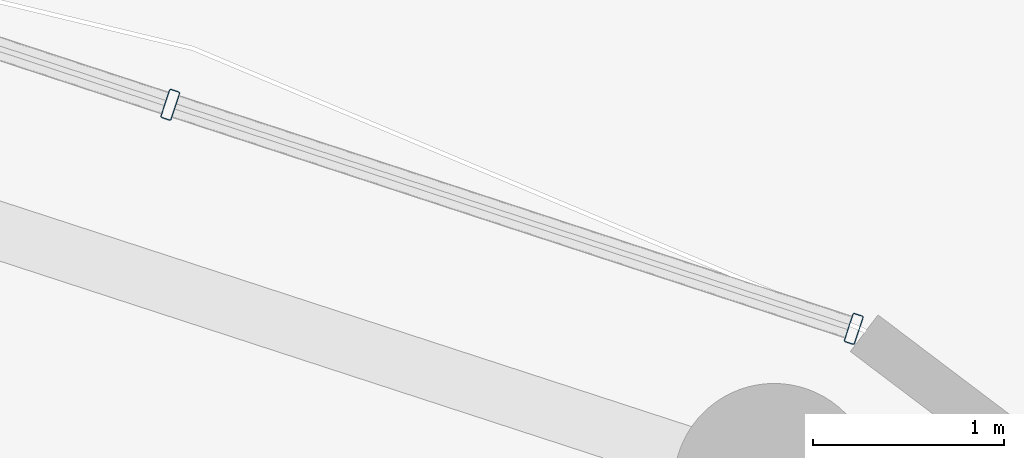
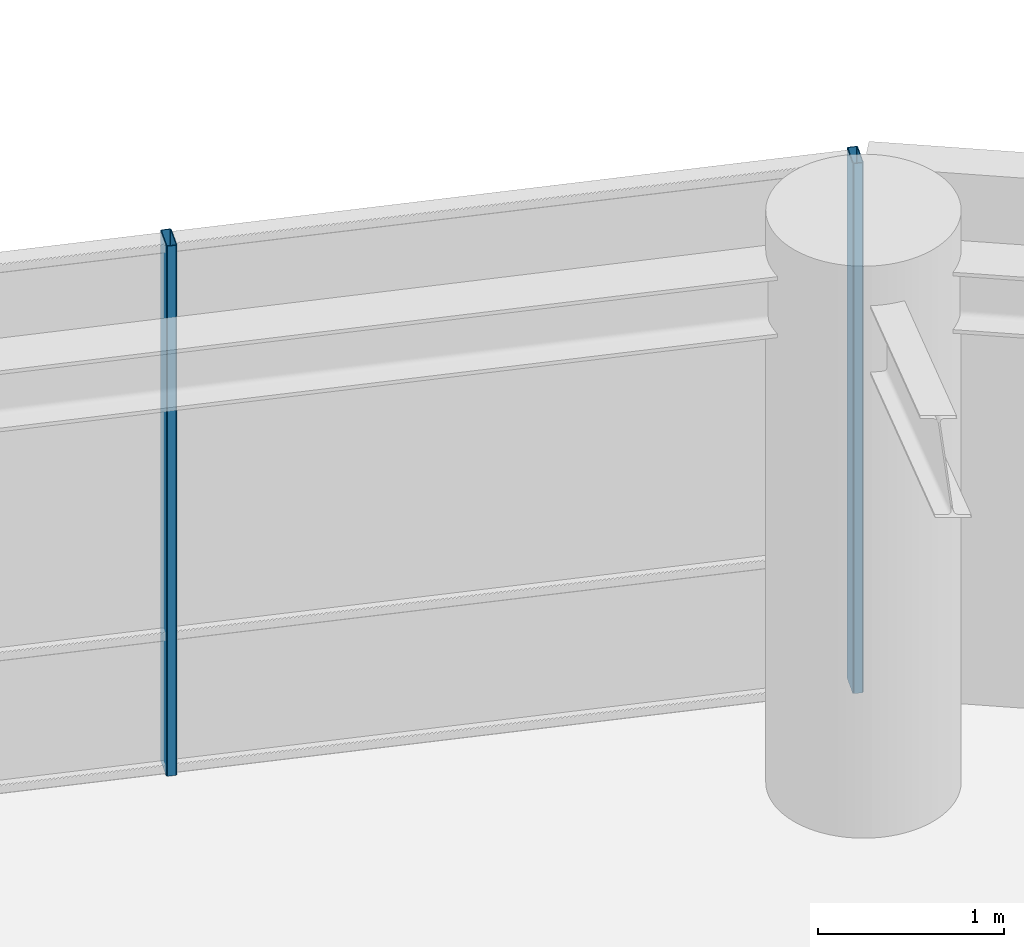
# One storey, part 22 of 31: 2 members, 1 element without a shape of its own.
"""IFC4 building model written with IfcOpenShell, lengths in metres."""

from ifc_helpers import new_model, si_unit, direction, frame, origin, origin_2d, place, context, subcontext, project, spatial, hollow_rectangle, extrude, material, layer, layer_set, material_profile, profile_set, type_object, element, aggregate, save


model = new_model("IFC4")

# Units and contexts
model_context = context("Model", 3, precision=1e-05, world=origin(), true_north=direction((0.0, 1.0)))
body_context = subcontext(model_context, "Body", "Model", "MODEL_VIEW")
ifc_project = project(units=[si_unit("LENGTHUNIT", "METRE"), si_unit("AREAUNIT", "SQUARE_METRE"), si_unit("VOLUMEUNIT", "CUBIC_METRE"), si_unit("PLANEANGLEUNIT", "RADIAN"), si_unit("MASSUNIT", "GRAM", prefix="KILO")], contexts=[model_context])

# Site, building, storey
site_placement = place(None, origin())
site = spatial("IfcSite", under=ifc_project, at=site_placement, CompositionType="ELEMENT")
building_placement = place(site_placement, origin())
building = spatial("IfcBuilding", under=site, at=building_placement, Name="Kelanora Arch Commons", CompositionType="ELEMENT")
storey_placement = place(building_placement, frame((0.0, 0.0, 223.199951171875)))
storey = spatial("IfcBuildingStorey", under=building, at=storey_placement, Name="L57", CompositionType="ELEMENT", Elevation=223.199951171875)

# Curtain wall, members
ifc_material_1 = material(Name="Terracotta ceramic-fritted low-E glass and aluminium", Category="masonry")
ifc_layer = layer(ifc_material_1, 0.175048828125)
ifc_layer_set = layer_set([ifc_layer], Name="Terracotta ceramic-fritted low-E glass and aluminium")
curtain_wall_type = type_object("IfcCurtainWallType", Name="CW-SYS-02", PredefinedType="NOTDEFINED", material=ifc_layer_set)
curtain_wall_placement = place(storey_placement, origin())
curtain_wall = element("IfcCurtainWall", 1, at=curtain_wall_placement, inside=storey, type_object=curtain_wall_type, Name="Unitised Curtain Wall L57-B03", PredefinedType="NOTDEFINED")
ifc_material_2 = material(Name="Powder-coated aluminium terracotta", Category="masonry")
ifc_material_profile = material_profile(ifc_material_2, hollow_rectangle(XDim=0.159912109375, YDim=0.06005859375, WallThickness=0.0048828125, InnerFilletRadius=0.0048828125, OuterFilletRadius=0.010009765625, at=origin_2d()), Name="CWM160x60")
ifc_profile_set = profile_set([ifc_material_profile], Name="Powder-coated aluminium terracotta")
member_type = type_object("IfcMemberType", Name="CWM-STD", PredefinedType="MULLION", material=ifc_profile_set)
member_1_placement = place(storey_placement, frame((85.05712890625, 75.33447265625, 0.0), z_axis=(0.0, 0.0, 1.0), x_axis=(-0.311582439059, -0.950219124029, 0.0)))
member_1 = element("IfcMember", 2, at=member_1_placement, type_object=member_type, Name="CW-02 mullion 1", PredefinedType="MULLION", context=body_context, shape_type="SweptSolid", body=[
    extrude(hollow_rectangle(XDim=0.159912109375, YDim=0.06005859375, WallThickness=0.0048828125, InnerFilletRadius=0.0048828125, OuterFilletRadius=0.010009765625, at=origin_2d()), origin(), (0.0, 0.0, 1.0), 3.47509765625),
])
member_2_placement = place(storey_placement, frame((81.4775390625, 76.50830078125, 0.0), z_axis=(0.0, 0.0, 1.0), x_axis=(-0.311582439059, -0.950219124029, 0.0)))
member_2 = element("IfcMember", 3, at=member_2_placement, type_object=member_type, Name="CW-02 mullion 2", PredefinedType="MULLION", context=body_context, shape_type="SweptSolid", body=[
    extrude(hollow_rectangle(XDim=0.159912109375, YDim=0.06005859375, WallThickness=0.0048828125, InnerFilletRadius=0.0048828125, OuterFilletRadius=0.010009765625, at=origin_2d()), origin(), (0.0, 0.0, 1.0), 3.47509765625),
])
aggregate(curtain_wall, [member_1, member_2])

save(model, "model.ifc")
